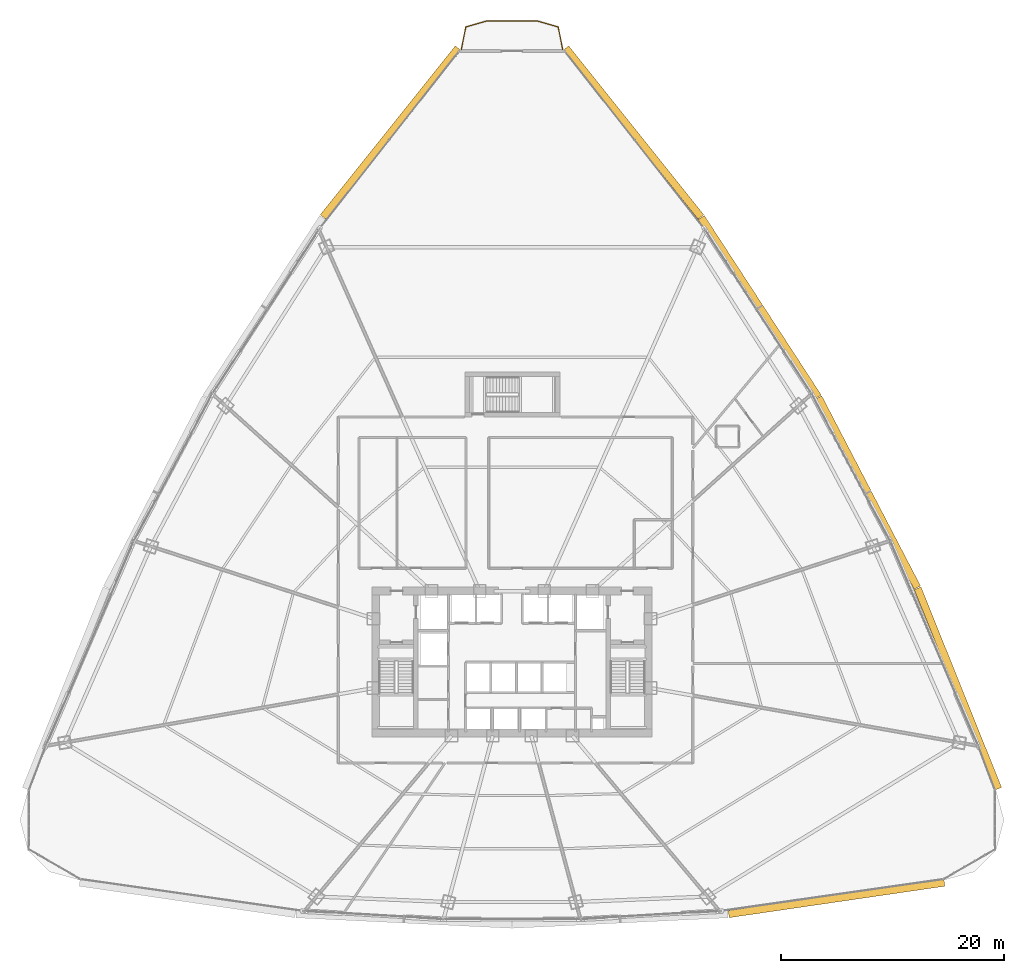
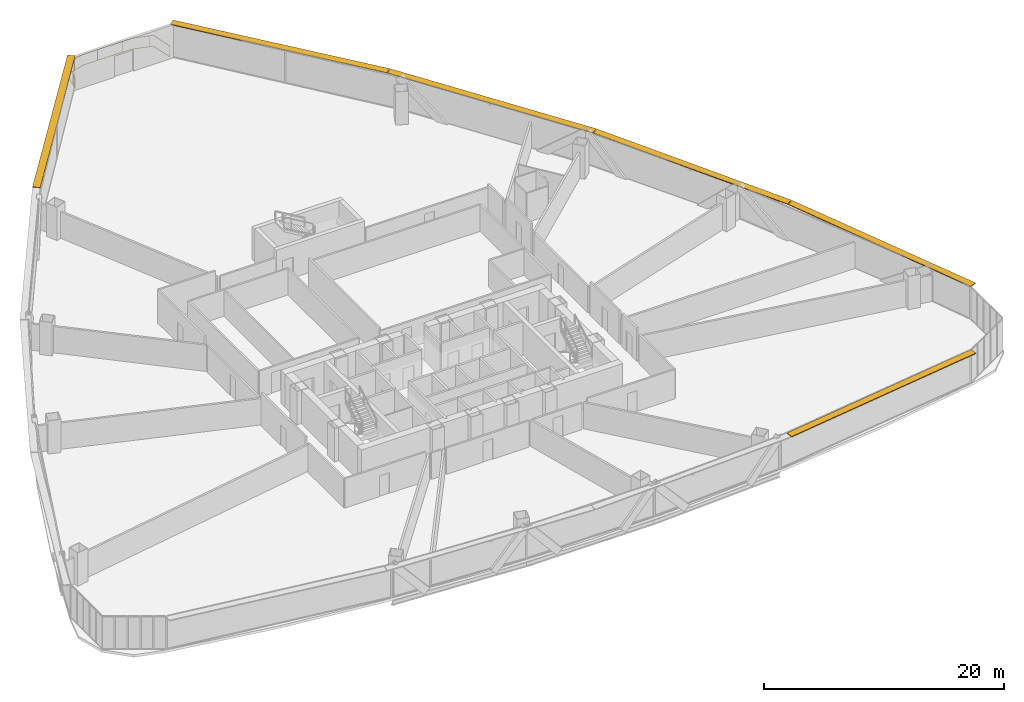
# One storey, part 42 of 42: 6 shading devices, 1 railing.
"""IFC4 building model written with IfcOpenShell, lengths in metres."""

from ifc_helpers import new_model, si_unit, direction, frame, origin, origin_2d, place, context, subcontext, project, spatial, rectangle, extrude, source, transform, mapped, material, layer, layer_set, type_object, element, save


model = new_model("IFC4")

# Units and contexts
model_context = context("Model", 3, precision=1e-05, world=origin(), true_north=direction((0.0, 1.0)))
body_context = subcontext(model_context, "Body", "Model", "MODEL_VIEW")
ifc_project = project(units=[si_unit("LENGTHUNIT", "METRE"), si_unit("AREAUNIT", "SQUARE_METRE"), si_unit("VOLUMEUNIT", "CUBIC_METRE"), si_unit("PLANEANGLEUNIT", "RADIAN"), si_unit("MASSUNIT", "GRAM", prefix="KILO"), si_unit("THERMODYNAMICTEMPERATUREUNIT", "KELVIN"), si_unit("POWERUNIT", "WATT")], contexts=[model_context])

# Site, building, storey
site_placement = place(None, origin())
site = spatial("IfcSite", under=ifc_project, at=site_placement, CompositionType="ELEMENT")
building_placement = place(site_placement, origin())
building = spatial("IfcBuilding", under=site, at=building_placement, Name="Yunzhuo Pagoda Commons", CompositionType="ELEMENT")
storey_placement = place(building_placement, frame((0.0, 0.0, 44.919921875)))
storey = spatial("IfcBuildingStorey", under=building, at=storey_placement, Name="L11", CompositionType="ELEMENT", Elevation=44.919921875)

# Railing
ifc_material = material(Name="Anodized aluminium 6063-T6", Category="aluminium")
railing_type = type_object("IfcRailingType", Name="RL-BAL1 Exterior Terrace & Balcony Balustrade 1150", PredefinedType="BALUSTRADE", material=ifc_material)
railing_placement = place(storey_placement, frame((52.543212890625, 88.695556640625, 0.0)))
element("IfcRailing", 1, at=railing_placement, inside=storey, type_object=railing_type, Name="L11 corner balcony balustrade V3", PredefinedType="BALUSTRADE", context=body_context, shape_type="SweptSolid", body=[
    extrude(rectangle(XDim=0.048095703125, YDim=0.048095703125, at=origin_2d()), frame((0.0, 0.0, 1.1259765625), z_axis=(-0.194200568098, 0.980961843983, 0.0), x_axis=(-0.980961843983, -0.194200568098, 0.0)), (0.0, 0.0, 1.0), 2.059326171875),
    extrude(rectangle(XDim=0.048095703125, YDim=0.048095703125, at=origin_2d()), frame((0.0, 0.0, 0.02392578125), z_axis=(-0.194200568098, 0.980961843983, 0.0), x_axis=(-0.980961843983, -0.194200568098, 0.0)), (0.0, 0.0, 1.0), 2.059326171875),
    extrude(rectangle(XDim=0.048095703125, YDim=0.048095703125, at=origin_2d()), frame((-0.39990234375, 2.02001953125, 1.1259765625), z_axis=(-0.960585861266, 0.277983458386, 0.0), x_axis=(-0.277983458386, -0.960585861266, 0.0)), (0.0, 0.0, 1.0), 1.90673828125),
    extrude(rectangle(XDim=0.048095703125, YDim=0.048095703125, at=origin_2d()), frame((-0.39990234375, 2.02001953125, 0.02392578125), z_axis=(-0.960585861266, 0.277983458386, 0.0), x_axis=(-0.277983458386, -0.960585861266, 0.0)), (0.0, 0.0, 1.0), 1.90673828125),
    extrude(rectangle(XDim=0.048095703125, YDim=0.048095703125, at=origin_2d()), frame((-2.2314453125, 2.550048828125, 1.1259765625), z_axis=(-1.0, 0.0, 0.0), x_axis=(0.0, -1.0, 0.0)), (0.0, 0.0, 1.0), 4.62353515625),
    extrude(rectangle(XDim=0.048095703125, YDim=0.048095703125, at=origin_2d()), frame((-2.2314453125, 2.550048828125, 0.02392578125), z_axis=(-1.0, 0.0, 0.0), x_axis=(0.0, -1.0, 0.0)), (0.0, 0.0, 1.0), 4.62353515625),
    extrude(rectangle(XDim=0.048095703125, YDim=0.048095703125, at=origin_2d()), frame((-6.85498046875, 2.550048828125, 1.1259765625), z_axis=(-0.960585861266, -0.277983458386, 0.0), x_axis=(0.277983458386, -0.960585861266, 0.0)), (0.0, 0.0, 1.0), 1.90673828125),
    extrude(rectangle(XDim=0.048095703125, YDim=0.048095703125, at=origin_2d()), frame((-6.85498046875, 2.550048828125, 0.02392578125), z_axis=(-0.960585861266, -0.277983458386, 0.0), x_axis=(0.277983458386, -0.960585861266, 0.0)), (0.0, 0.0, 1.0), 1.90673828125),
    extrude(rectangle(XDim=0.048095703125, YDim=0.048095703125, at=origin_2d()), frame((-8.6865234375, 2.02001953125, 1.1259765625), z_axis=(-0.194200568098, -0.980961843983, 0.0), x_axis=(0.980961843983, -0.194200568098, 0.0)), (0.0, 0.0, 1.0), 2.059326171875),
    extrude(rectangle(XDim=0.048095703125, YDim=0.048095703125, at=origin_2d()), frame((-8.6865234375, 2.02001953125, 0.02392578125), z_axis=(-0.194200568098, -0.980961843983, 0.0), x_axis=(0.980961843983, -0.194200568098, 0.0)), (0.0, 0.0, 1.0), 2.059326171875),
    extrude(rectangle(XDim=0.0419921875, YDim=0.0419921875, at=origin_2d()), origin(), (0.0, 0.0, 1.0), 1.101806640625),
    extrude(rectangle(XDim=0.0419921875, YDim=0.0419921875, at=origin_2d()), frame((-0.727294921875, 2.11474609375, 0.0)), (0.0, 0.0, 1.0), 1.101806640625),
    extrude(rectangle(XDim=0.0419921875, YDim=0.0419921875, at=origin_2d()), frame((-3.0654296875, 2.550048828125, 0.0)), (0.0, 0.0, 1.0), 1.101806640625),
    extrude(rectangle(XDim=0.0419921875, YDim=0.0419921875, at=origin_2d()), frame((-5.465576171875, 2.550048828125, 0.0)), (0.0, 0.0, 1.0), 1.101806640625),
    extrude(rectangle(XDim=0.0419921875, YDim=0.0419921875, at=origin_2d()), frame((-7.82568359375, 2.26904296875, 0.0)), (0.0, 0.0, 1.0), 1.101806640625),
    extrude(rectangle(XDim=0.0419921875, YDim=0.0419921875, at=origin_2d()), frame((-8.978515625, 0.544677734375, 0.0)), (0.0, 0.0, 1.0), 1.101806640625),
    extrude(rectangle(XDim=0.0419921875, YDim=0.0419921875, at=origin_2d()), frame((-9.08642578125, 0.0, 0.0)), (0.0, 0.0, 1.0), 1.101806640625),
])

# Shading devices
ifc_layer = layer(ifc_material, 0.080078125)
ifc_layer_set = layer_set([ifc_layer], Name="Anodized aluminium 6063-T6")
shading_device_type = type_object("IfcShadingDeviceType", Name="SH-SUN1 Pagoda Horizontal Sunshade Eave 650", PredefinedType="USERDEFINED", material=ifc_layer_set)
shared_shape_1 = source(origin(), body_context, "Body", "SweptSolid", [
    extrude(rectangle(XDim=19.519287109375, YDim=0.64990234375, at=origin_2d()), origin(), (0.0, 0.0, 1.0), 0.080078125),
])
shading_device_placement = place(storey_placement, frame((77.06591796875, 12.681884765625, 3.2900390625), z_axis=(0.0, 0.0, 1.0), x_axis=(0.989510666697, 0.144459823108, 0.0)))
element("IfcShadingDevice", 2, at=shading_device_placement, inside=storey, type_object=shading_device_type, Name="L11 horizontal pagoda sunshade eave F1.4", ObjectType="SUNSHADE", PredefinedType="USERDEFINED", context=body_context, shape_type="MappedRepresentation", body=[
    mapped(shared_shape_1, transform((0.0, 0.0, 0.0), scale=1.0)),
])
shared_shape_2 = source(origin(), body_context, "Body", "SweptSolid", [
    extrude(rectangle(XDim=19.3623046875, YDim=0.64990234375, at=origin_2d()), origin(), (0.0, 0.0, 1.0), 0.080078125),
])
for number, where, z_axis, x_axis, name in (
    (3, (87.935791015625, 31.47509765625, 3.2900390625), (0.0, 0.0, 1.0), (-0.372987782576, 0.927836253899, 0.0), "L11 horizontal pagoda sunshade eave F2.1"),
    (4, (58.869384765625, 81.268798828125, 3.2900390625), (0.0, 0.0, 1.0), (-0.624520471688, 0.781008438138, 0.0), "L11 horizontal pagoda sunshade eave F2.4"),
    (5, (37.130615234375, 81.268798828125, 3.2900390625), (0.0, 0.0, 1.0), (-0.624520471688, -0.781008438138, 0.0), "L11 horizontal pagoda sunshade eave F3.1"),
):
    element("IfcShadingDevice", number, at=place(storey_placement, frame(where, z_axis=z_axis, x_axis=x_axis)), inside=storey, type_object=shading_device_type, Name=name, ObjectType="SUNSHADE", PredefinedType="USERDEFINED", context=body_context, shape_type="MappedRepresentation", body=[
        mapped(shared_shape_2, transform((0.0, 0.0, 0.0), scale=1.0)),
    ])
shared_shape_3 = source(origin(), body_context, "Body", "SweptSolid", [
    extrude(rectangle(XDim=19.1787109375, YDim=0.64990234375, at=origin_2d()), origin(), (0.0, 0.0, 1.0), 0.080078125),
])
for number, where, z_axis, x_axis, name in (
    (6, (79.875732421875, 49.023681640625, 3.2900390625), (0.0, 0.0, 1.0), (-0.461206683033, 0.88729273384, 0.0), "L11 horizontal pagoda sunshade eave F2.2"),
    (7, (70.186767578125, 65.62158203125, 3.2900390625), (0.0, 0.0, 1.0), (-0.545853380833, 0.837880711458, 0.0), "L11 horizontal pagoda sunshade eave F2.3"),
):
    element("IfcShadingDevice", number, at=place(storey_placement, frame(where, z_axis=z_axis, x_axis=x_axis)), inside=storey, type_object=shading_device_type, Name=name, ObjectType="SUNSHADE", PredefinedType="USERDEFINED", context=body_context, shape_type="MappedRepresentation", body=[
        mapped(shared_shape_3, transform((0.0, 0.0, 0.0), scale=1.0)),
    ])

save(model, "model.ifc")
